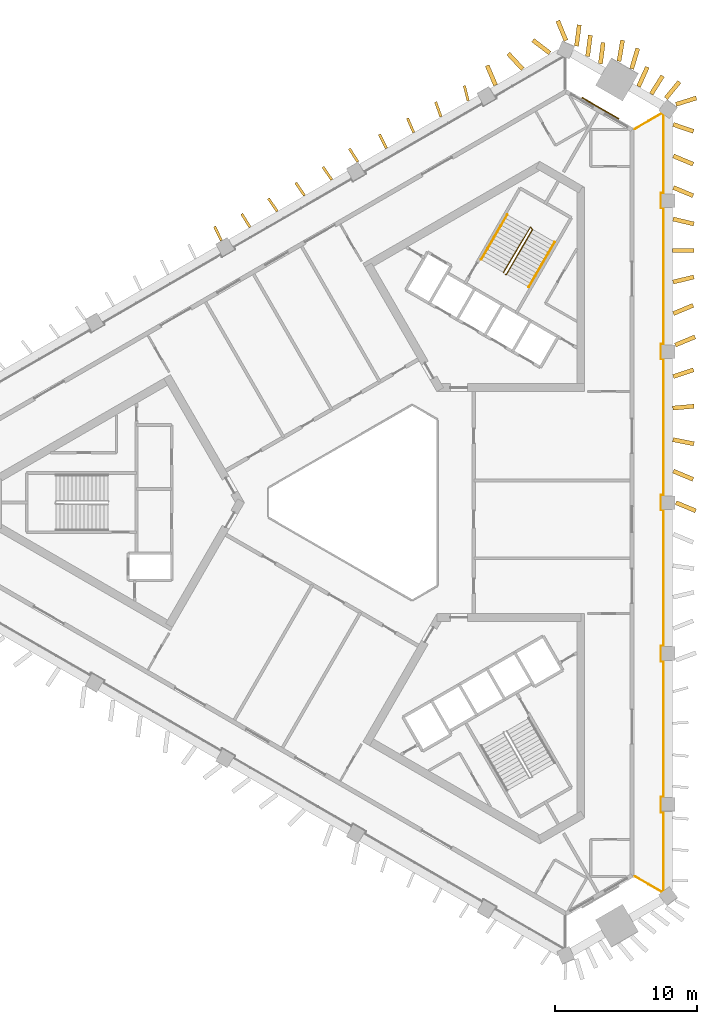
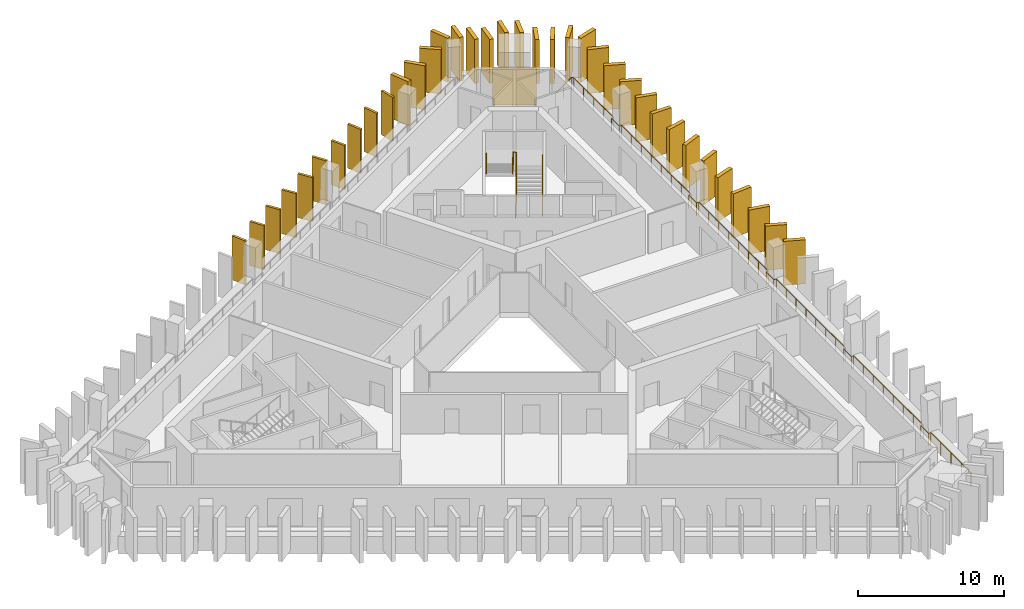
# One storey, part 9 of 9: 36 shading devices, 4 railings, 1 covering.
"""IFC4 building model written with IfcOpenShell, lengths in metres."""

from ifc_helpers import new_model, si_unit, direction, frame, frame_2d, origin, origin_2d, place, context, subcontext, project, spatial, rectangle, circle, extrude, material, layer, layer_set, type_object, element, save


model = new_model("IFC4")

# Units and contexts
model_context = context("Model", 3, precision=1e-05, world=origin(), true_north=direction((0.0, 1.0)))
body_context = subcontext(model_context, "Body", "Model", "MODEL_VIEW")
ifc_project = project(units=[si_unit("LENGTHUNIT", "METRE"), si_unit("AREAUNIT", "SQUARE_METRE"), si_unit("VOLUMEUNIT", "CUBIC_METRE"), si_unit("PLANEANGLEUNIT", "RADIAN"), si_unit("MASSUNIT", "GRAM", prefix="KILO")], contexts=[model_context])

# Site, building, storey
site_placement = place(None, origin())
site = spatial("IfcSite", under=ifc_project, at=site_placement, CompositionType="ELEMENT")
building_placement = place(site_placement, origin())
building = spatial("IfcBuilding", under=site, at=building_placement, Name="Jabali Bay Hotel Tower and Convention Centre", CompositionType="ELEMENT")
storey_placement = place(building_placement, frame((0.0, 0.0, 193.300048828125)))
storey = spatial("IfcBuildingStorey", under=building, at=storey_placement, Name="L47", CompositionType="ELEMENT", Elevation=193.300048828125)

# Railing
ifc_material_1 = material(Name="Glass", Category="glass")
railing_type_1 = type_object("IfcRailingType", Name="Loggia glass guard 1100", PredefinedType="BALUSTRADE", material=ifc_material_1)
railing_1_placement = place(storey_placement, frame((93.403076171875, 106.23095703125, 0.0)))
element("IfcRailing", 1, at=railing_1_placement, inside=storey, type_object=railing_type_1, Name="Loggia glass guard L47", PredefinedType="BALUSTRADE", context=body_context, shape_type="SweptSolid", body=[
    extrude(circle(Radius=0.02490234375, at=origin_2d()), frame((0.0, 0.0, 1.0751953125), z_axis=(0.865987210888, 0.500066146203, 0.0), x_axis=(-0.495788011, 0.858578570251, 0.13052619222)), (0.0, 0.0, 1.0), 2.193115234375),
    extrude(circle(Radius=0.02490234375, at=origin_2d()), frame((1.899169921875, 1.0966796875, 1.0751953125), z_axis=(0.799767562016, -0.600309792313, 0.0), x_axis=(0.595174058821, 0.792925439655, 0.13052619222)), (0.0, 0.0, 1.0), 0.1259765625),
    extrude(circle(Radius=0.02490234375, at=origin_2d()), frame((2.0, 1.02099609375, 1.0751953125), z_axis=(0.0, -1.0, 0.0), x_axis=(0.991444861374, 0.0, 0.13052619222)), (0.0, 0.0, 1.0), 5.530029296875),
    extrude(circle(Radius=0.02490234375, at=origin_2d()), frame((2.0, -4.509033203125, 1.0751953125), z_axis=(-1.0, 0.0, 0.0), x_axis=(0.0, -0.991444861374, 0.13052619222)), (0.0, 0.0, 1.0), 0.175048828125),
    extrude(circle(Radius=0.02490234375, at=origin_2d()), frame((1.824951171875, -4.509033203125, 1.0751953125), z_axis=(0.0, -1.0, 0.0), x_axis=(0.991444861374, 0.0, 0.13052619222)), (0.0, 0.0, 1.0), 1.0498046875),
    extrude(circle(Radius=0.02490234375, at=origin_2d()), frame((1.824951171875, -5.558837890625, 1.0751953125), z_axis=(1.0, 0.0, 0.0), x_axis=(0.0, 0.991444861374, 0.13052619222)), (0.0, 0.0, 1.0), 0.175048828125),
    extrude(circle(Radius=0.02490234375, at=origin_2d()), frame((2.0, -5.558837890625, 1.0751953125), z_axis=(0.0, -1.0, 0.0), x_axis=(0.991444861374, 0.0, 0.13052619222)), (0.0, 0.0, 1.0), 9.548583984375),
    extrude(circle(Radius=0.02490234375, at=origin_2d()), frame((2.0, -15.107421875, 1.0751953125), z_axis=(-1.0, 0.0, 0.0), x_axis=(0.0, -0.991444861374, 0.13052619222)), (0.0, 0.0, 1.0), 0.175048828125),
    extrude(circle(Radius=0.02490234375, at=origin_2d()), frame((1.824951171875, -15.107421875, 1.0751953125), z_axis=(0.0, -1.0, 0.0), x_axis=(0.991444861374, 0.0, 0.13052619222)), (0.0, 0.0, 1.0), 1.050048828125),
    extrude(circle(Radius=0.02490234375, at=origin_2d()), frame((1.824951171875, -16.157470703125, 1.0751953125), z_axis=(1.0, 0.0, 0.0), x_axis=(0.0, 0.991444861374, 0.13052619222)), (0.0, 0.0, 1.0), 0.175048828125),
    extrude(circle(Radius=0.02490234375, at=origin_2d()), frame((2.0, -16.157470703125, 1.0751953125), z_axis=(0.0, -1.0, 0.0), x_axis=(0.991444861374, 0.0, 0.13052619222)), (0.0, 0.0, 1.0), 9.548583984375),
    extrude(circle(Radius=0.02490234375, at=origin_2d()), frame((2.0, -25.7060546875, 1.0751953125), z_axis=(-1.0, 0.0, 0.0), x_axis=(0.0, -0.991444861374, 0.13052619222)), (0.0, 0.0, 1.0), 0.175048828125),
    extrude(circle(Radius=0.02490234375, at=origin_2d()), frame((1.824951171875, -25.7060546875, 1.0751953125), z_axis=(0.0, -1.0, 0.0), x_axis=(0.991444861374, 0.0, 0.13052619222)), (0.0, 0.0, 1.0), 1.0498046875),
    extrude(circle(Radius=0.02490234375, at=origin_2d()), frame((1.824951171875, -26.755859375, 1.0751953125), z_axis=(1.0, 0.0, 0.0), x_axis=(0.0, 0.991444861374, 0.13052619222)), (0.0, 0.0, 1.0), 0.175048828125),
    extrude(circle(Radius=0.02490234375, at=origin_2d()), frame((2.0, -26.755859375, 1.0751953125), z_axis=(0.0, -1.0, 0.0), x_axis=(0.991444861374, 0.0, 0.13052619222)), (0.0, 0.0, 1.0), 9.548583984375),
    extrude(circle(Radius=0.02490234375, at=origin_2d()), frame((2.0, -36.304443359375, 1.0751953125), z_axis=(-1.0, 0.0, 0.0), x_axis=(0.0, -0.991444861374, 0.13052619222)), (0.0, 0.0, 1.0), 0.175048828125),
    extrude(circle(Radius=0.02490234375, at=origin_2d()), frame((1.824951171875, -36.304443359375, 1.0751953125), z_axis=(0.0, -1.0, 0.0), x_axis=(0.991444861374, 0.0, 0.13052619222)), (0.0, 0.0, 1.0), 1.050048828125),
    extrude(circle(Radius=0.02490234375, at=origin_2d()), frame((1.824951171875, -37.3544921875, 1.0751953125), z_axis=(1.0, 0.0, 0.0), x_axis=(0.0, 0.991444861374, 0.13052619222)), (0.0, 0.0, 1.0), 0.175048828125),
    extrude(circle(Radius=0.02490234375, at=origin_2d()), frame((2.0, -37.3544921875, 1.0751953125), z_axis=(0.0, -1.0, 0.0), x_axis=(0.991444861374, 0.0, 0.13052619222)), (0.0, 0.0, 1.0), 9.548583984375),
    extrude(circle(Radius=0.02490234375, at=origin_2d()), frame((2.0, -46.903076171875, 1.0751953125), z_axis=(-1.0, 0.0, 0.0), x_axis=(0.0, -0.991444861374, 0.13052619222)), (0.0, 0.0, 1.0), 0.175048828125),
    extrude(circle(Radius=0.02490234375, at=origin_2d()), frame((1.824951171875, -46.903076171875, 1.0751953125), z_axis=(0.0, -1.0, 0.0), x_axis=(0.991444861374, 0.0, 0.13052619222)), (0.0, 0.0, 1.0), 1.0498046875),
    extrude(circle(Radius=0.02490234375, at=origin_2d()), frame((1.824951171875, -47.952880859375, 1.0751953125), z_axis=(1.0, 0.0, 0.0), x_axis=(0.0, 0.991444861374, 0.13052619222)), (0.0, 0.0, 1.0), 0.175048828125),
    extrude(circle(Radius=0.02490234375, at=origin_2d()), frame((2.0, -47.952880859375, 1.0751953125), z_axis=(0.0, -1.0, 0.0), x_axis=(0.991444861374, 0.0, 0.13052619222)), (0.0, 0.0, 1.0), 5.530029296875),
    extrude(circle(Radius=0.02490234375, at=origin_2d()), frame((2.0, -53.48291015625, 1.0751953125), z_axis=(-0.799767562016, -0.600309792313, 0.0), x_axis=(0.595174058821, -0.792925439655, 0.13052619222)), (0.0, 0.0, 1.0), 0.1259765625),
    extrude(circle(Radius=0.02490234375, at=origin_2d()), frame((1.899169921875, -53.55859375, 1.0751953125), z_axis=(-0.865987210888, 0.500066146203, 0.0), x_axis=(-0.495788011, -0.858578570251, 0.13052619222)), (0.0, 0.0, 1.0), 2.193115234375),
    extrude(circle(Radius=0.02001953125, at=origin_2d()), origin(), (0.0, 0.0, 1.0), 1.050048828125),
    extrude(circle(Radius=0.02001953125, at=origin_2d()), frame((0.94970703125, 0.54833984375, 0.0)), (0.0, 0.0, 1.0), 1.050048828125),
    extrude(circle(Radius=0.02001953125, at=origin_2d()), frame((1.899169921875, 1.0966796875, 0.0)), (0.0, 0.0, 1.0), 1.050048828125),
    extrude(circle(Radius=0.02001953125, at=origin_2d()), frame((2.0, 1.02099609375, 0.0)), (0.0, 0.0, 1.0), 1.050048828125),
    extrude(circle(Radius=0.02001953125, at=origin_2d()), frame((2.0, -0.361572265625, 0.0)), (0.0, 0.0, 1.0), 1.050048828125),
    extrude(circle(Radius=0.02001953125, at=origin_2d()), frame((2.0, -1.744140625, 0.0)), (0.0, 0.0, 1.0), 1.050048828125),
    extrude(circle(Radius=0.02001953125, at=origin_2d()), frame((2.0, -3.12646484375, 0.0)), (0.0, 0.0, 1.0), 1.050048828125),
    extrude(circle(Radius=0.02001953125, at=origin_2d()), frame((2.0, -4.509033203125, 0.0)), (0.0, 0.0, 1.0), 1.050048828125),
    extrude(circle(Radius=0.02001953125, at=origin_2d()), frame((1.824951171875, -4.509033203125, 0.0)), (0.0, 0.0, 1.0), 1.050048828125),
    extrude(circle(Radius=0.02001953125, at=origin_2d()), frame((1.824951171875, -5.558837890625, 0.0)), (0.0, 0.0, 1.0), 1.050048828125),
    extrude(circle(Radius=0.02001953125, at=origin_2d()), frame((2.0, -5.558837890625, 0.0)), (0.0, 0.0, 1.0), 1.050048828125),
    extrude(circle(Radius=0.02001953125, at=origin_2d()), frame((2.0, -6.9228515625, 0.0)), (0.0, 0.0, 1.0), 1.050048828125),
    extrude(circle(Radius=0.02001953125, at=origin_2d()), frame((2.0, -8.287109375, 0.0)), (0.0, 0.0, 1.0), 1.050048828125),
    extrude(circle(Radius=0.02001953125, at=origin_2d()), frame((2.0, -9.651123046875, 0.0)), (0.0, 0.0, 1.0), 1.050048828125),
    extrude(circle(Radius=0.02001953125, at=origin_2d()), frame((2.0, -11.01513671875, 0.0)), (0.0, 0.0, 1.0), 1.050048828125),
    extrude(circle(Radius=0.02001953125, at=origin_2d()), frame((2.0, -12.379150390625, 0.0)), (0.0, 0.0, 1.0), 1.050048828125),
    extrude(circle(Radius=0.02001953125, at=origin_2d()), frame((2.0, -13.743408203125, 0.0)), (0.0, 0.0, 1.0), 1.050048828125),
    extrude(circle(Radius=0.02001953125, at=origin_2d()), frame((2.0, -15.107421875, 0.0)), (0.0, 0.0, 1.0), 1.050048828125),
    extrude(circle(Radius=0.02001953125, at=origin_2d()), frame((1.824951171875, -15.107421875, 0.0)), (0.0, 0.0, 1.0), 1.050048828125),
    extrude(circle(Radius=0.02001953125, at=origin_2d()), frame((1.824951171875, -16.157470703125, 0.0)), (0.0, 0.0, 1.0), 1.050048828125),
    extrude(circle(Radius=0.02001953125, at=origin_2d()), frame((2.0, -16.157470703125, 0.0)), (0.0, 0.0, 1.0), 1.050048828125),
    extrude(circle(Radius=0.02001953125, at=origin_2d()), frame((2.0, -17.521484375, 0.0)), (0.0, 0.0, 1.0), 1.050048828125),
    extrude(circle(Radius=0.02001953125, at=origin_2d()), frame((2.0, -18.8857421875, 0.0)), (0.0, 0.0, 1.0), 1.050048828125),
    extrude(circle(Radius=0.02001953125, at=origin_2d()), frame((2.0, -20.249755859375, 0.0)), (0.0, 0.0, 1.0), 1.050048828125),
    extrude(circle(Radius=0.02001953125, at=origin_2d()), frame((2.0, -21.61376953125, 0.0)), (0.0, 0.0, 1.0), 1.050048828125),
    extrude(circle(Radius=0.02001953125, at=origin_2d()), frame((2.0, -22.977783203125, 0.0)), (0.0, 0.0, 1.0), 1.050048828125),
    extrude(circle(Radius=0.02001953125, at=origin_2d()), frame((2.0, -24.342041015625, 0.0)), (0.0, 0.0, 1.0), 1.050048828125),
    extrude(circle(Radius=0.02001953125, at=origin_2d()), frame((2.0, -25.7060546875, 0.0)), (0.0, 0.0, 1.0), 1.050048828125),
    extrude(circle(Radius=0.02001953125, at=origin_2d()), frame((1.824951171875, -25.7060546875, 0.0)), (0.0, 0.0, 1.0), 1.050048828125),
    extrude(circle(Radius=0.02001953125, at=origin_2d()), frame((1.824951171875, -26.755859375, 0.0)), (0.0, 0.0, 1.0), 1.050048828125),
    extrude(circle(Radius=0.02001953125, at=origin_2d()), frame((2.0, -26.755859375, 0.0)), (0.0, 0.0, 1.0), 1.050048828125),
    extrude(circle(Radius=0.02001953125, at=origin_2d()), frame((2.0, -28.119873046875, 0.0)), (0.0, 0.0, 1.0), 1.050048828125),
    extrude(circle(Radius=0.02001953125, at=origin_2d()), frame((2.0, -29.484130859375, 0.0)), (0.0, 0.0, 1.0), 1.050048828125),
    extrude(circle(Radius=0.02001953125, at=origin_2d()), frame((2.0, -30.84814453125, 0.0)), (0.0, 0.0, 1.0), 1.050048828125),
    extrude(circle(Radius=0.02001953125, at=origin_2d()), frame((2.0, -32.212158203125, 0.0)), (0.0, 0.0, 1.0), 1.050048828125),
    extrude(circle(Radius=0.02001953125, at=origin_2d()), frame((2.0, -33.576171875, 0.0)), (0.0, 0.0, 1.0), 1.050048828125),
    extrude(circle(Radius=0.02001953125, at=origin_2d()), frame((2.0, -34.9404296875, 0.0)), (0.0, 0.0, 1.0), 1.050048828125),
    extrude(circle(Radius=0.02001953125, at=origin_2d()), frame((2.0, -36.304443359375, 0.0)), (0.0, 0.0, 1.0), 1.050048828125),
    extrude(circle(Radius=0.02001953125, at=origin_2d()), frame((1.824951171875, -36.304443359375, 0.0)), (0.0, 0.0, 1.0), 1.050048828125),
    extrude(circle(Radius=0.02001953125, at=origin_2d()), frame((1.824951171875, -37.3544921875, 0.0)), (0.0, 0.0, 1.0), 1.050048828125),
    extrude(circle(Radius=0.02001953125, at=origin_2d()), frame((2.0, -37.3544921875, 0.0)), (0.0, 0.0, 1.0), 1.050048828125),
    extrude(circle(Radius=0.02001953125, at=origin_2d()), frame((2.0, -38.718505859375, 0.0)), (0.0, 0.0, 1.0), 1.050048828125),
    extrude(circle(Radius=0.02001953125, at=origin_2d()), frame((2.0, -40.082763671875, 0.0)), (0.0, 0.0, 1.0), 1.050048828125),
    extrude(circle(Radius=0.02001953125, at=origin_2d()), frame((2.0, -41.44677734375, 0.0)), (0.0, 0.0, 1.0), 1.050048828125),
    extrude(circle(Radius=0.02001953125, at=origin_2d()), frame((2.0, -42.810791015625, 0.0)), (0.0, 0.0, 1.0), 1.050048828125),
    extrude(circle(Radius=0.02001953125, at=origin_2d()), frame((2.0, -44.1748046875, 0.0)), (0.0, 0.0, 1.0), 1.050048828125),
    extrude(circle(Radius=0.02001953125, at=origin_2d()), frame((2.0, -45.5390625, 0.0)), (0.0, 0.0, 1.0), 1.050048828125),
    extrude(circle(Radius=0.02001953125, at=origin_2d()), frame((2.0, -46.903076171875, 0.0)), (0.0, 0.0, 1.0), 1.050048828125),
    extrude(circle(Radius=0.02001953125, at=origin_2d()), frame((1.824951171875, -46.903076171875, 0.0)), (0.0, 0.0, 1.0), 1.050048828125),
    extrude(circle(Radius=0.02001953125, at=origin_2d()), frame((1.824951171875, -47.952880859375, 0.0)), (0.0, 0.0, 1.0), 1.050048828125),
    extrude(circle(Radius=0.02001953125, at=origin_2d()), frame((2.0, -47.952880859375, 0.0)), (0.0, 0.0, 1.0), 1.050048828125),
    extrude(circle(Radius=0.02001953125, at=origin_2d()), frame((2.0, -49.33544921875, 0.0)), (0.0, 0.0, 1.0), 1.050048828125),
    extrude(circle(Radius=0.02001953125, at=origin_2d()), frame((2.0, -50.7177734375, 0.0)), (0.0, 0.0, 1.0), 1.050048828125),
    extrude(circle(Radius=0.02001953125, at=origin_2d()), frame((2.0, -52.100341796875, 0.0)), (0.0, 0.0, 1.0), 1.050048828125),
    extrude(circle(Radius=0.02001953125, at=origin_2d()), frame((2.0, -53.48291015625, 0.0)), (0.0, 0.0, 1.0), 1.050048828125),
    extrude(circle(Radius=0.02001953125, at=origin_2d()), frame((1.899169921875, -53.55859375, 0.0)), (0.0, 0.0, 1.0), 1.050048828125),
    extrude(circle(Radius=0.02001953125, at=origin_2d()), frame((0.94970703125, -53.01025390625, 0.0)), (0.0, 0.0, 1.0), 1.050048828125),
    extrude(circle(Radius=0.02001953125, at=origin_2d()), frame((0.0, -52.4619140625, 0.0)), (0.0, 0.0, 1.0), 1.050048828125),
])

# Shading devices
ifc_material_2 = material(Name="Precast concrete C60", Category="concrete")
ifc_layer_1 = layer(ifc_material_2, 0.179931640625)
ifc_layer_set_1 = layer_set([ifc_layer_1], Name="Precast concrete C60")
shading_device_type_1 = type_object("IfcShadingDeviceType", Name="Precast fin 3680 x 1100", PredefinedType="USERDEFINED", material=ifc_layer_set_1)
for number, where, z_axis, x_axis, name in (
    (2, (81.702880859375, 108.19970703125, 0.010009765625), (0.0, 0.0, 1.0), (-0.24258784746, 0.970129443046, 0.0), "Fin L47 036"),
    (3, (79.7919921875, 107.086181640625, 0.010009765625), (0.0, 0.0, 1.0), (-0.340691427465, 0.940175170515, 0.0), "Fin L47 037"),
    (4, (77.87939453125, 105.9755859375, 0.010009765625), (0.0, 0.0, 1.0), (-0.398174169268, 0.917309833659, 0.0), "Fin L47 038"),
    (5, (75.966796875, 104.865234375, 0.010009765625), (0.0, 0.0, 1.0), (-0.451646878309, 0.892196781721, 0.0), "Fin L47 039"),
    (6, (73.960693359375, 103.916748046875, 0.010009765625), (0.0, 0.0, 1.0), (-0.540174197722, 0.841553228332, 0.0), "Fin L47 040"),
    (7, (72.135009765625, 102.655517578125, 0.010009765625), (0.0, 0.0, 1.0), (-0.568401823283, 0.822751096802, 0.0), "Fin L47 041"),
    (8, (70.2197265625, 101.5498046875, 0.010009765625), (0.0, 0.0, 1.0), (-0.567743328838, 0.823205632002, 0.0), "Fin L47 042"),
):
    element("IfcShadingDevice", number, at=place(storey_placement, frame(where, z_axis=z_axis, x_axis=x_axis)), inside=storey, type_object=shading_device_type_1, Name=name, ObjectType="FIN", PredefinedType="USERDEFINED", context=body_context, shape_type="SweptSolid", body=[
        extrude(rectangle(XDim=1.10009765625, YDim=0.179931640625, at=frame_2d((0.550048828125, 0.0))), origin(), (0.0, 0.0, 1.0), 3.679931640625),
    ])
for number, where, z_axis, x_axis, name in (
    (9, (68.304443359375, 100.44384765625, 0.010009765625), (0.0, 0.0, 1.0), (-0.56733868641, 0.823484556566, 0.0), "Fin L47 043"),
    (10, (66.39111328125, 99.33447265625, 0.010009765625), (0.0, 0.0, 1.0), (-0.52914077521, 0.848534053536, 0.0), "Fin L47 044"),
    (11, (64.382568359375, 98.389892578125, 0.010009765625), (0.0, 0.0, 1.0), (-0.433488581787, 0.901159058913, 0.0), "Fin L47 045"),
):
    element("IfcShadingDevice", number, at=place(storey_placement, frame(where, z_axis=z_axis, x_axis=x_axis)), inside=storey, type_object=shading_device_type_1, Name=name, ObjectType="FIN", PredefinedType="USERDEFINED", context=body_context, shape_type="SweptSolid", body=[
        extrude(rectangle(XDim=1.099853515625, YDim=0.179931640625, at=frame_2d((0.5498046875, 0.0))), origin(), (0.0, 0.0, 1.0), 3.679931640625),
    ])
ifc_layer_2 = layer(ifc_material_2, 0.300048828125)
ifc_layer_set_2 = layer_set([ifc_layer_2], Name="Precast concrete C60")
shading_device_type_2 = type_object("IfcShadingDeviceType", Name="Precast fin 3680 x 1500", PredefinedType="USERDEFINED", material=ifc_layer_set_2)
for number, where, z_axis, x_axis, name in (
    (12, (96.28564453125, 80.0, 0.010009765625), (0.0, 0.0, 1.0), (0.923153948977, -0.38443047029, 0.0), "Fin L47 012"),
    (13, (96.103271484375, 82.211669921875, 0.010009765625), (0.0, 0.0, 1.0), (0.923153948977, -0.38443047029, 0.0), "Fin L47 013"),
    (14, (96.0751953125, 84.42333984375, 0.010009765625), (0.0, 0.0, 1.0), (0.980285357673, -0.197586987251, 0.0), "Fin L47 014"),
    (15, (96.058837890625, 86.635009765625, 0.010009765625), (0.0, 0.0, 1.0), (0.996058273938, 0.088701267859, 0.0), "Fin L47 015"),
    (16, (96.09326171875, 88.8466796875, 0.010009765625), (0.0, 0.0, 1.0), (0.948030279817, 0.318180119664, 0.0), "Fin L47 016"),
    (17, (96.234375, 91.05810546875, 0.010009765625), (0.0, 0.0, 1.0), (0.923072107306, 0.384626942261, 0.0), "Fin L47 017"),
):
    element("IfcShadingDevice", number, at=place(storey_placement, frame(where, z_axis=z_axis, x_axis=x_axis)), inside=storey, type_object=shading_device_type_2, Name=name, ObjectType="FIN", PredefinedType="USERDEFINED", context=body_context, shape_type="SweptSolid", body=[
        extrude(rectangle(XDim=1.5, YDim=0.300048828125, at=frame_2d((0.75, 0.0))), origin(), (0.0, 0.0, 1.0), 3.679931640625),
    ])
for number, where, z_axis, x_axis, name in (
    (18, (96.103271484375, 93.269775390625, 0.010009765625), (0.0, 0.0, 1.0), (0.923096181819, 0.384569160374, 0.0), "Fin L47 018"),
    (19, (96.080810546875, 95.4814453125, 0.010009765625), (0.0, 0.0, 1.0), (0.971915561519, 0.235329856322, 0.0), "Fin L47 019"),
):
    element("IfcShadingDevice", number, at=place(storey_placement, frame(where, z_axis=z_axis, x_axis=x_axis)), inside=storey, type_object=shading_device_type_2, Name=name, ObjectType="FIN", PredefinedType="USERDEFINED", context=body_context, shape_type="SweptSolid", body=[
        extrude(rectangle(XDim=1.500244140625, YDim=0.300048828125, at=frame_2d((0.75, 0.0))), origin(), (0.0, 0.0, 1.0), 3.679931640625),
    ])
for number, where, z_axis, x_axis, name in (
    (20, (96.0458984375, 97.693115234375, 0.010009765625), (0.0, 0.0, 1.0), (0.999997019781, 0.002441398974, 0.0), "Fin L47 020"),
    (21, (96.080322265625, 99.90478515625, 0.010009765625), (0.0, 0.0, 1.0), (0.972846367384, -0.231451821051, 0.0), "Fin L47 021"),
    (22, (96.103271484375, 102.116455078125, 0.010009765625), (0.0, 0.0, 1.0), (0.923153948977, -0.38443047029, 0.0), "Fin L47 022"),
    (23, (96.103271484375, 104.328125, 0.010009765625), (0.0, 0.0, 1.0), (0.923153948977, -0.38443047029, 0.0), "Fin L47 023"),
    (24, (96.09375, 106.539794921875, 0.010009765625), (0.0, 0.0, 1.0), (0.946877848478, -0.321593439084, 0.0), "Fin L47 024"),
    (25, (95.57763671875, 108.379150390625, 0.010009765625), (0.0, 0.0, 1.0), (0.635433365456, 0.772155708433, 0.0), "Fin L47 025"),
):
    element("IfcShadingDevice", number, at=place(storey_placement, frame(where, z_axis=z_axis, x_axis=x_axis)), inside=storey, type_object=shading_device_type_2, Name=name, ObjectType="FIN", PredefinedType="USERDEFINED", context=body_context, shape_type="SweptSolid", body=[
        extrude(rectangle(XDim=1.5, YDim=0.300048828125, at=frame_2d((0.75, 0.0))), origin(), (0.0, 0.0, 1.0), 3.679931640625),
    ])
shading_device_1_placement = place(storey_placement, frame((94.551513671875, 108.6767578125, 0.010009765625), z_axis=(0.0, 0.0, 1.0), x_axis=(0.531694837524, 0.84693600688, 0.0)))
element("IfcShadingDevice", 26, at=shading_device_1_placement, inside=storey, type_object=shading_device_type_2, Name="Fin L47 026", ObjectType="FIN", PredefinedType="USERDEFINED", context=body_context, shape_type="SweptSolid", body=[
    extrude(rectangle(XDim=1.500244140625, YDim=0.300048828125, at=frame_2d((0.75, 0.0))), origin(), (0.0, 0.0, 1.0), 3.679931640625),
])
for number, where, z_axis, x_axis, name in (
    (27, (93.65771484375, 109.20361328125, 0.010009765625), (0.0, 0.0, 1.0), (0.411778590894, 0.911283925065, 0.0), "Fin L47 027"),
    (28, (93.17529296875, 110.443115234375, 0.010009765625), (0.0, 0.0, 1.0), (0.286436962562, 0.958099090115, 0.0), "Fin L47 028"),
):
    element("IfcShadingDevice", number, at=place(storey_placement, frame(where, z_axis=z_axis, x_axis=x_axis)), inside=storey, type_object=shading_device_type_2, Name=name, ObjectType="FIN", PredefinedType="USERDEFINED", context=body_context, shape_type="SweptSolid", body=[
        extrude(rectangle(XDim=1.5, YDim=0.300048828125, at=frame_2d((0.75, 0.0))), origin(), (0.0, 0.0, 1.0), 3.679931640625),
    ])
shading_device_2_placement = place(storey_placement, frame((92.28564453125, 110.976806640625, 0.010009765625), z_axis=(0.0, 0.0, 1.0), x_axis=(0.169252899601, 0.98557265383, 0.0)))
element("IfcShadingDevice", 29, at=shading_device_2_placement, inside=storey, type_object=shading_device_type_2, Name="Fin L47 029", ObjectType="FIN", PredefinedType="USERDEFINED", context=body_context, shape_type="SweptSolid", body=[
    extrude(rectangle(XDim=1.500244140625, YDim=0.300048828125, at=frame_2d((0.75, 0.0))), origin(), (0.0, 0.0, 1.0), 3.679931640625),
])
for number, where, z_axis, x_axis, name in (
    (30, (90.983642578125, 110.796875, 0.010009765625), (0.0, 0.0, 1.0), (0.128580707026, 0.991699047988, 0.0), "Fin L47 030"),
    (31, (90.085205078125, 111.315673828125, 0.010009765625), (0.0, 0.0, 1.0), (0.128580707026, 0.991699047988, 0.0), "Fin L47 031"),
    (32, (89.305419921875, 112.0400390625, 0.010009765625), (0.0, 0.0, 1.0), (0.128580707026, 0.991699047988, 0.0), "Fin L47 032"),
    (33, (87.4326171875, 111.54541015625, 0.010009765625), (0.0, 0.0, 1.0), (-0.792992940089, 0.609230824047, 0.0), "Fin L47 033"),
    (34, (85.529296875, 110.4189453125, 0.010009765625), (0.0, 0.0, 1.0), (-0.679739037802, 0.733454047973, 0.0), "Fin L47 034"),
    (35, (83.62158203125, 109.2998046875, 0.010009765625), (0.0, 0.0, 1.0), (-0.392229392408, 0.91986743813, 0.0), "Fin L47 035"),
    (36, (96.282958984375, 107.951416015625, 0.010009765625), (0.0, 0.0, 1.0), (0.955114965285, 0.296235384598, 0.0), "Fin L47 100"),
    (37, (88.565185546875, 112.42822265625, 0.010009765625), (0.0, 0.0, 1.0), (-0.383285987724, 0.923629715641, 0.0), "Fin L47 101"),
):
    element("IfcShadingDevice", number, at=place(storey_placement, frame(where, z_axis=z_axis, x_axis=x_axis)), inside=storey, type_object=shading_device_type_2, Name=name, ObjectType="FIN", PredefinedType="USERDEFINED", context=body_context, shape_type="SweptSolid", body=[
        extrude(rectangle(XDim=1.5, YDim=0.300048828125, at=frame_2d((0.75, 0.0))), origin(), (0.0, 0.0, 1.0), 3.679931640625),
    ])

# Covering
ifc_material_3 = material(Name="Precast concrete C40/50", Category="concrete")
ifc_layer_3 = layer(ifc_material_3, 0.080078125)
ifc_layer_set_3 = layer_set([ifc_layer_3], Name="Precast concrete C40/50")
covering_type = type_object("IfcCoveringType", Name="Relief panel 3000 x 3100", PredefinedType="CLADDING", material=ifc_layer_set_3)
covering_placement = place(storey_placement, frame((90.979248046875, 107.6767578125, 0.099853515625), z_axis=(0.0, 0.0, 1.0), x_axis=(0.866025424371, -0.499999964344, 0.0)))
element("IfcCovering", 38, at=covering_placement, inside=storey, type_object=covering_type, Name="Relief panel L47", PredefinedType="CLADDING", context=body_context, shape_type="SweptSolid", body=[
    extrude(rectangle(XDim=3.0, YDim=0.080078125, at=origin_2d()), origin(), (0.0, 0.0, 1.0), 3.10009765625),
])

# Railings
ifc_material_4 = material(Name="Steel Q355B", Category="steel")
railing_type_2 = type_object("IfcRailingType", Name="Stair guard 1100", PredefinedType="GUARDRAIL", material=ifc_material_4)
railing_2_placement = place(storey_placement, frame((84.329833984375, 96.010009765625, 0.0)))
element("IfcRailing", 39, at=railing_2_placement, inside=storey, type_object=railing_type_2, Name="L47 ST2 stair guard 1", PredefinedType="GUARDRAIL", context=body_context, shape_type="SweptSolid", body=[
    extrude(circle(Radius=0.02392578125, at=origin_2d()), frame((0.0, 0.0, 1.076171875), z_axis=(0.456201556387, 0.122196845461, 0.881446578591), x_axis=(-0.258736085224, 0.965948051503, 0.0)), (0.0, 0.0, 1.0), 0.14990234375),
    extrude(circle(Radius=0.02392578125, at=origin_2d()), frame((0.068359375, 0.018310546875, 1.2080078125), z_axis=(0.452190331055, 0.783190014029, 0.426775475427), x_axis=(-0.866018046521, 0.500012742938, 0.0)), (0.0, 0.0, 1.0), 4.02490234375),
    extrude(circle(Radius=0.02392578125, at=origin_2d()), frame((1.888427734375, 3.170654296875, 2.92578125), z_axis=(-0.718850276695, 0.695164929852, 0.0), x_axis=(-0.695164929852, -0.718850276695, 0.0)), (0.0, 0.0, 1.0), 0.2060546875),
    extrude(circle(Radius=0.02392578125, at=origin_2d()), frame((1.740234375, 3.31396484375, 2.92578125), z_axis=(-0.457445338502, -0.768046879266, 0.448160410493), x_axis=(0.859157857954, -0.511710636118, 0.0)), (0.0, 0.0, 1.0), 4.128173828125),
    extrude(circle(Radius=0.02099609375, at=origin_2d()), origin(), (0.0, 0.0, 1.0), 1.052001953125),
    extrude(circle(Radius=0.02099609375, at=origin_2d()), frame((0.068359375, 0.018310546875, 0.132080078125)), (0.0, 0.0, 1.0), 1.052001953125),
    extrude(circle(Radius=0.02099609375, at=origin_2d()), frame((0.5234375, 0.806396484375, 0.5615234375)), (0.0, 0.0, 1.0), 1.052001953125),
    extrude(circle(Radius=0.02099609375, at=origin_2d()), frame((0.978515625, 1.594482421875, 0.990966796875)), (0.0, 0.0, 1.0), 1.052001953125),
    extrude(circle(Radius=0.02099609375, at=origin_2d()), frame((1.433349609375, 2.382568359375, 1.42041015625)), (0.0, 0.0, 1.0), 1.052001953125),
    extrude(circle(Radius=0.02099609375, at=origin_2d()), frame((1.888427734375, 3.170654296875, 1.849853515625)), (0.0, 0.0, 1.0), 1.052001953125),
    extrude(circle(Radius=0.02099609375, at=origin_2d()), frame((1.740234375, 3.31396484375, 1.849853515625)), (0.0, 0.0, 1.0), 1.052001953125),
    extrude(circle(Radius=0.02099609375, at=origin_2d()), frame((1.26806640625, 2.521240234375, 2.3125)), (0.0, 0.0, 1.0), 1.052001953125),
    extrude(circle(Radius=0.02099609375, at=origin_2d()), frame((0.7958984375, 1.728515625, 2.77490234375)), (0.0, 0.0, 1.0), 1.052001953125),
    extrude(circle(Radius=0.02099609375, at=origin_2d()), frame((0.323974609375, 0.93603515625, 3.2373046875)), (0.0, 0.0, 1.0), 1.052001953125),
    extrude(circle(Radius=0.02099609375, at=origin_2d()), frame((-0.148193359375, 0.143310546875, 3.699951171875)), (0.0, 0.0, 1.0), 1.052001953125),
])
railing_type_3 = type_object("IfcRailingType", Name="Stair handrail 900", PredefinedType="HANDRAIL", material=ifc_material_4)
railing_3_placement = place(storey_placement, frame((85.95703125, 95.128173828125, 0.132080078125)))
element("IfcRailing", 40, at=railing_3_placement, inside=storey, type_object=railing_type_3, Name="L47 ST2 stair handrail 1", PredefinedType="HANDRAIL", context=body_context, shape_type="SweptSolid", body=[
    extrude(circle(Radius=0.02392578125, at=origin_2d()), frame((0.0, 0.0, 0.8759765625), z_axis=(0.452190331055, 0.783190014029, 0.426775475427), x_axis=(-0.866018046521, 0.500012742938, 0.0)), (0.0, 0.0, 1.0), 4.02490234375),
    extrude(circle(Radius=0.02099609375, at=origin_2d()), origin(), (0.0, 0.0, 1.0), 0.851806640625),
    extrude(circle(Radius=0.02099609375, at=origin_2d()), frame((0.455078125, 0.7880859375, 0.429443359375)), (0.0, 0.0, 1.0), 0.851806640625),
    extrude(circle(Radius=0.02099609375, at=origin_2d()), frame((0.91015625, 1.576171875, 0.85888671875)), (0.0, 0.0, 1.0), 0.851806640625),
    extrude(circle(Radius=0.02099609375, at=origin_2d()), frame((1.364990234375, 2.3642578125, 1.288330078125)), (0.0, 0.0, 1.0), 0.851806640625),
    extrude(circle(Radius=0.02099609375, at=origin_2d()), frame((1.820068359375, 3.15234375, 1.7177734375)), (0.0, 0.0, 1.0), 0.851806640625),
])
railing_4_placement = place(storey_placement, frame((84.44287109375, 100.20556640625, 1.982177734375)))
element("IfcRailing", 41, at=railing_4_placement, inside=storey, type_object=railing_type_3, Name="L47 ST2 stair handrail 2", PredefinedType="HANDRAIL", context=body_context, shape_type="SweptSolid", body=[
    extrude(circle(Radius=0.02392578125, at=origin_2d()), frame((0.0, 0.0, 0.8759765625), z_axis=(-0.452190331055, -0.783190014029, 0.426775475427), x_axis=(0.866018046521, -0.500012742938, 0.0)), (0.0, 0.0, 1.0), 4.02490234375),
    extrude(circle(Radius=0.02099609375, at=origin_2d()), origin(), (0.0, 0.0, 1.0), 0.851806640625),
    extrude(circle(Radius=0.02099609375, at=origin_2d()), frame((-0.455078125, -0.7880859375, 0.429443359375)), (0.0, 0.0, 1.0), 0.851806640625),
    extrude(circle(Radius=0.02099609375, at=origin_2d()), frame((-0.91015625, -1.576171875, 0.85888671875)), (0.0, 0.0, 1.0), 0.851806640625),
    extrude(circle(Radius=0.02099609375, at=origin_2d()), frame((-1.364990234375, -2.3642578125, 1.288330078125)), (0.0, 0.0, 1.0), 0.851806640625),
    extrude(circle(Radius=0.02099609375, at=origin_2d()), frame((-1.820068359375, -3.15234375, 1.7177734375)), (0.0, 0.0, 1.0), 0.851806640625),
])

save(model, "model.ifc")
